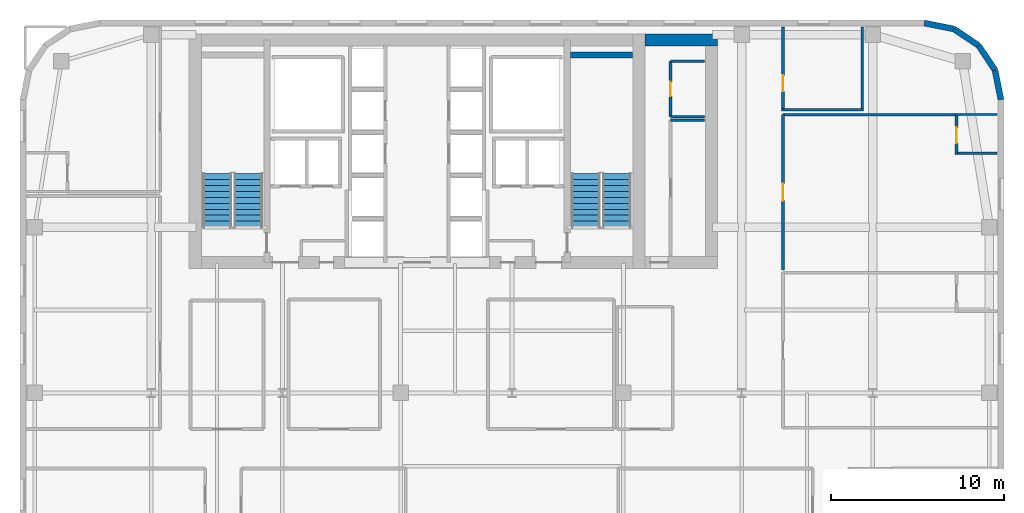
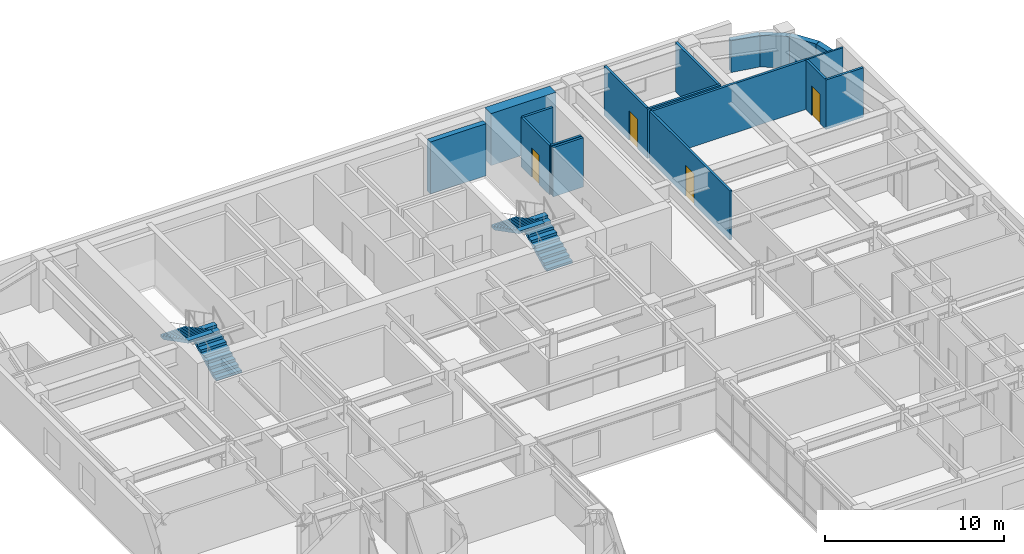
# One storey, part 16 of 17: 18 walls, 4 doors, 4 stair flights, 4 openings, 2 elements without a shape of their own.
"""IFC4 building model written with IfcOpenShell, lengths in metres."""

from ifc_helpers import new_model, si_unit, direction, frame, frame_2d, origin, place, context, subcontext, project, spatial, polyline, rectangle, outline, extrude, source, transform, mapped, material, layer, layer_set, type_object, type_shapes, element, fill, aggregate, save


model = new_model("IFC4")

# Units and contexts
model_context = context("Model", 3, precision=1e-05, world=origin(), true_north=direction((0.0, 1.0)))
body_context = subcontext(model_context, "Body", "Model", "MODEL_VIEW")
ifc_project = project(units=[si_unit("LENGTHUNIT", "METRE"), si_unit("AREAUNIT", "SQUARE_METRE"), si_unit("VOLUMEUNIT", "CUBIC_METRE"), si_unit("PLANEANGLEUNIT", "RADIAN"), si_unit("MASSUNIT", "GRAM", prefix="KILO")], contexts=[model_context])

# Site, building, storey
site_placement = place(None, origin())
site = spatial("IfcSite", under=ifc_project, at=site_placement, CompositionType="ELEMENT")
building_placement = place(site_placement, origin())
building = spatial("IfcBuilding", under=site, at=building_placement, Name="Tolvann Quenvar Hotel", CompositionType="ELEMENT")
storey_placement = place(building_placement, frame((0.0, 0.0, 136.39990234375)))
storey = spatial("IfcBuildingStorey", under=building, at=storey_placement, Name="L35", CompositionType="ELEMENT", Elevation=136.39990234375)

# Walls
ifc_material_1 = material(Name="Concrete S65 (65 MPa)", Category="concrete")
ifc_layer_1 = layer(ifc_material_1, 0.699951171875)
ifc_layer_set_1 = layer_set([ifc_layer_1], Name="Concrete S65 (65 MPa)")
wall_type_1 = type_object("IfcWallType", Name="WALL_CORE_700", PredefinedType="SHEAR", material=ifc_layer_set_1)
wall_1_placement = place(storey_placement, frame((36.199951171875, 44.85009765625, 0.0), z_axis=(0.0, 0.0, 1.0), x_axis=(1.0, 0.0, 0.0)))
element("IfcWall", 1, at=wall_1_placement, inside=storey, type_object=wall_type_1, Name="Core East Annex Shear Wall ANN-N (L35)", PredefinedType="SHEAR", context=body_context, shape_type="SweptSolid", body=[
    extrude(rectangle(XDim=4.199951171875, YDim=0.699951171875, at=frame_2d((2.10009765625, 0.0))), origin(), (0.0, 0.0, 1.0), 3.550048828125),
])
ifc_layer_2 = layer(ifc_material_1, 0.35009765625)
ifc_layer_set_2 = layer_set([ifc_layer_2], Name="Concrete S65 (65 MPa)")
wall_type_2 = type_object("IfcWallType", Name="WALL_CORE_INT_350", PredefinedType="SHEAR", material=ifc_layer_set_2)
wall_2_placement = place(storey_placement, frame((31.8798828125, 43.97509765625, 0.0), z_axis=(0.0, 0.0, 1.0), x_axis=(1.0, 0.0, 0.0)))
element("IfcWall", 2, at=wall_2_placement, inside=storey, type_object=wall_type_2, Name="Core Stair North Closing Shear Wall STC2-N (L35)", PredefinedType="SHEAR", context=body_context, shape_type="SweptSolid", body=[
    extrude(rectangle(XDim=3.60009765625, YDim=0.35009765625, at=frame_2d((1.800048828125, 0.0))), origin(), (0.0, 0.0, 1.0), 3.550048828125),
])
ifc_material_2 = material(Name="Kiln-fired red and buff architectural clay brickwork and terracotta masonry", Category="masonry")
ifc_layer_3 = layer(ifc_material_2, 0.35009765625)
ifc_layer_set_3 = layer_set([ifc_layer_3], Name="Kiln-fired red and buff architectural clay brickwork and terracotta masonry")
wall_type_3 = type_object("IfcWallType", Name="WALL_EXT_BRICK_350", PredefinedType="SOLIDWALL", material=ifc_layer_set_3)
wall_3_placement = place(storey_placement, frame((56.824951171875, 41.3828125, 0.0), z_axis=(0.0, 0.0, 1.0), x_axis=(-0.195011420161, 0.980800971659, 0.0)))
element("IfcWall", 3, at=wall_3_placement, inside=storey, type_object=wall_type_3, Name="Exterior Chicago Brick Wall L35-E14", PredefinedType="SOLIDWALL", context=body_context, shape_type="SweptSolid", body=[
    extrude(rectangle(XDim=1.74267578125, YDim=0.35009765625, at=frame_2d((0.871337890625, 0.0))), origin(), (0.0, 0.0, 1.0), 2.16015625),
])
for number, where, z_axis, x_axis, name in (
    (4, (56.485107421875, 43.092041015625, 0.0), (0.0, 0.0, 1.0), (-0.55554893791, 0.831483840845, 0.0), "Exterior Chicago Brick Wall L35-E15"),
    (5, (55.526611328125, 44.526611328125, 0.0), (0.0, 0.0, 1.0), (-0.831483840845, 0.55554893791, 0.0), "Exterior Chicago Brick Wall L35-E16"),
):
    element("IfcWall", number, at=place(storey_placement, frame(where, z_axis=z_axis, x_axis=x_axis)), inside=storey, type_object=wall_type_3, Name=name, PredefinedType="SOLIDWALL", context=body_context, shape_type="SweptSolid", body=[
        extrude(rectangle(XDim=1.725341796875, YDim=0.35009765625, at=frame_2d((0.86279296875, 0.0))), origin(), (0.0, 0.0, 1.0), 2.16015625),
    ])
wall_4_placement = place(storey_placement, frame((54.092041015625, 45.485107421875, 0.0), z_axis=(0.0, 0.0, 1.0), x_axis=(-0.980800971659, 0.195011420161, 0.0)))
element("IfcWall", 6, at=wall_4_placement, inside=storey, type_object=wall_type_3, Name="Exterior Chicago Brick Wall L35-E17", PredefinedType="SOLIDWALL", context=body_context, shape_type="SweptSolid", body=[
    extrude(rectangle(XDim=1.74267578125, YDim=0.35009765625, at=frame_2d((0.871337890625, 0.0))), origin(), (0.0, 0.0, 1.0), 2.16015625),
])
ifc_material_3 = material(Name="Moisture-resistant acoustic plumbing wall assembly")
ifc_layer_4 = layer(ifc_material_3, 0.1201171875)
ifc_layer_set_4 = layer_set([ifc_layer_4], Name="Moisture-resistant acoustic plumbing wall assembly")
wall_type_4 = type_object("IfcWallType", Name="WALL_PART_BATH_120", PredefinedType="PLUMBINGWALL", material=ifc_layer_set_4)
wall_5_placement = place(storey_placement, frame((54.179931640625, 40.52001953125, 0.0), z_axis=(0.0, 0.0, 1.0), x_axis=(1.0, 0.0, 0.0)))
element("IfcWall", 7, at=wall_5_placement, inside=storey, type_object=wall_type_4, Name="Non-Rated Plumbing Partition PT-SPC-L35-ENS-NE02-N", PredefinedType="PLUMBINGWALL", context=body_context, shape_type="SweptSolid", body=[
    extrude(rectangle(XDim=2.4150390625, YDim=0.1201171875, at=frame_2d((1.20751953125, 0.0))), origin(), (0.0, 0.0, 1.0), 3.3701171875),
])

# Wall, opening, door
ifc_material_4 = material(Name="Acoustic twin-stud fire-rated gypsum plasterboard partition")
ifc_layer_5 = layer(ifc_material_4, 0.14990234375)
ifc_layer_set_5 = layer_set([ifc_layer_5], Name="Acoustic twin-stud fire-rated gypsum plasterboard partition")
wall_type_5 = type_object("IfcWallType", Name="WALL_PART_SUITE_150", PredefinedType="PARTITIONING", material=ifc_layer_set_5)
wall_6_placement = place(storey_placement, frame((54.25, 38.199951171875, 0.0), z_axis=(0.0, 0.0, 1.0), x_axis=(0.0, 1.0, 0.0)))
wall_6 = element("IfcWall", 8, at=wall_6_placement, inside=storey, type_object=wall_type_5, Name="Interior Partition PT-SPC-L35-ENS-NE02-ENT", PredefinedType="PARTITIONING", context=body_context, shape_type="SweptSolid", body=[
    extrude(rectangle(XDim=2.39013671875, YDim=0.14990234375, at=frame_2d((1.195068359375, 0.0))), origin(), (0.0, 0.0, 1.0), 3.3701171875),
])
opening_1_placement = place(wall_6_placement, frame((0.6650390625, 0.0, 0.0)))
opening_1 = element("IfcOpeningElement", 9, at=opening_1_placement, cuts=wall_6, Name="Opening WD-01", PredefinedType="OPENING", context=body_context, shape_type="SweptSolid", body=[
    extrude(rectangle(XDim=0.919921875, YDim=2.010009765625, at=frame_2d((0.4599609375, 1.0048828125))), frame((0.0, 0.0849609375, 0.0), z_axis=(0.0, -1.0, 0.0), x_axis=(1.0, 0.0, 0.0)), (0.0, 0.0, 1.0), 0.169921875),
])
ifc_material_5 = material(Name="Solid-core American oak acoustic fire door leaf in steel frame", Category="steel")
door_type_1 = type_object("IfcDoorType", Name="DOOR_WC_920", OperationType="NOTDEFINED", PredefinedType="DOOR", material=ifc_material_5)
shared_shape_1 = source(origin(), body_context, "Body", "SweptSolid", [
    extrude(rectangle(XDim=0.919921875, YDim=2.010009765625, at=frame_2d((0.4599609375, 1.0048828125))), frame((0.0, 0.02490234375, 0.0), z_axis=(0.0, -1.0, 0.0), x_axis=(1.0, 0.0, 0.0)), (0.0, 0.0, 1.0), 0.050048828125),
])
type_shapes(door_type_1, [shared_shape_1])
door_1_placement = place(opening_1_placement, origin())
door_1 = element("IfcDoor", 10, at=door_1_placement, inside=storey, type_object=door_type_1, Name="Interior Door DOOR-SPC-L35-ENS-NE02", OperationType="SINGLE_SWING_LEFT", OverallHeight=2.010009765625, OverallWidth=0.919921875, PredefinedType="DOOR", context=body_context, shape_type="MappedRepresentation", body=[
    mapped(shared_shape_1, transform((0.0, 0.0, 0.0), x_axis=(1.0, 0.0, 0.0), y_axis=(0.0, 1.0, 0.0), z_axis=(0.0, 0.0, 1.0), scale=1.0)),
])
fill(opening_1, door_1)

# Walls
wall_7_placement = place(storey_placement, frame((54.179931640625, 38.27001953125, 0.0), z_axis=(0.0, 0.0, 1.0), x_axis=(1.0, 0.0, 0.0)))
element("IfcWall", 11, at=wall_7_placement, inside=storey, type_object=wall_type_5, Name="Interior Partition PT-SPC-L35-ENS-NE02-S", PredefinedType="PARTITIONING", context=body_context, shape_type="SweptSolid", body=[
    extrude(rectangle(XDim=2.4150390625, YDim=0.14990234375, at=frame_2d((1.20751953125, 0.0))), origin(), (0.0, 0.0, 1.0), 3.3701171875),
])
for number, where, z_axis, x_axis, name in (
    (12, (37.679931640625, 40.199951171875, 0.0), (0.0, 0.0, 1.0), (1.0, 0.0, 0.0), "Interior Partition PT-SPC-L35-RECPL-1-N"),
    (13, (37.679931640625, 40.39990234375, 0.0), (0.0, 0.0, 1.0), (1.0, 0.0, 0.0), "Interior Partition PT-SPC-L35-CSE-1-S"),
    (14, (37.679931640625, 43.60009765625, 0.0), (0.0, 0.0, 1.0), (1.0, 0.0, 0.0), "Interior Partition PT-SPC-L35-CSE-1-N"),
):
    element("IfcWall", number, at=place(storey_placement, frame(where, z_axis=z_axis, x_axis=x_axis)), inside=storey, type_object=wall_type_5, Name=name, PredefinedType="PARTITIONING", context=body_context, shape_type="SweptSolid", body=[
        extrude(rectangle(XDim=1.965087890625, YDim=0.14990234375, at=frame_2d((0.982421875, 0.0))), origin(), (0.0, 0.0, 1.0), 3.3701171875),
    ])

# Wall, opening, door
wall_8_placement = place(storey_placement, frame((37.679931640625, 40.39990234375, 0.0), z_axis=(0.0, 0.0, 1.0), x_axis=(0.0, 1.0, 0.0)))
wall_8 = element("IfcWall", 15, at=wall_8_placement, inside=storey, type_object=wall_type_5, Name="Interior Partition PT-SPC-L35-CSE-1-W", PredefinedType="PARTITIONING", context=body_context, shape_type="SweptSolid", body=[
    extrude(rectangle(XDim=3.2001953125, YDim=0.14990234375, at=frame_2d((1.60009765625, 0.0))), origin(), (0.0, 0.0, 1.0), 3.3701171875),
])
opening_2_placement = place(wall_8_placement, frame((1.18994140625, 0.0, 0.0)))
opening_2 = element("IfcOpeningElement", 16, at=opening_2_placement, cuts=wall_8, Name="Opening HD-02", PredefinedType="OPENING", context=body_context, shape_type="SweptSolid", body=[
    extrude(rectangle(XDim=0.820068359375, YDim=2.010009765625, at=frame_2d((0.41015625, 1.0048828125))), frame((0.0, 0.0849609375, 0.0), z_axis=(0.0, -1.0, 0.0), x_axis=(1.0, 0.0, 0.0)), (0.0, 0.0, 1.0), 0.169921875),
])
ifc_material_6 = material(Name="Pressed galvanised steel fire-rated door set", Category="steel")
door_type_2 = type_object("IfcDoorType", Name="DOOR_STORE_820", OperationType="NOTDEFINED", PredefinedType="DOOR", material=ifc_material_6)
shared_shape_2 = source(origin(), body_context, "Body", "SweptSolid", [
    extrude(rectangle(XDim=0.820068359375, YDim=2.010009765625, at=frame_2d((0.41015625, 1.0048828125))), frame((0.0, 0.02490234375, 0.0), z_axis=(0.0, -1.0, 0.0), x_axis=(1.0, 0.0, 0.0)), (0.0, 0.0, 1.0), 0.050048828125),
])
type_shapes(door_type_2, [shared_shape_2])
door_2_placement = place(opening_2_placement, origin())
door_2 = element("IfcDoor", 17, at=door_2_placement, inside=storey, type_object=door_type_2, Name="Interior Door DOOR-SPC-L35-CSE-1", OperationType="SINGLE_SWING_LEFT", OverallHeight=2.010009765625, OverallWidth=0.820068359375, PredefinedType="DOOR", context=body_context, shape_type="MappedRepresentation", body=[
    mapped(shared_shape_2, transform((0.0, 0.0, 0.0), x_axis=(1.0, 0.0, 0.0), y_axis=(0.0, 1.0, 0.0), z_axis=(0.0, 0.0, 1.0), scale=1.0)),
])
fill(opening_2, door_2)

wall_9_placement = place(storey_placement, frame((44.199951171875, 31.530029296875, 0.0), z_axis=(0.0, 0.0, 1.0), x_axis=(0.0, 1.0, 0.0)))
wall_9 = element("IfcWall", 18, at=wall_9_placement, inside=storey, type_object=wall_type_5, Name="Interior Partition PT-SPC-L35-RM-NE02-ENT", PredefinedType="PARTITIONING", context=body_context, shape_type="SweptSolid", body=[
    extrude(rectangle(XDim=8.989990234375, YDim=0.14990234375, at=frame_2d((4.4951171875, 0.0))), origin(), (0.0, 0.0, 1.0), 3.3701171875),
])
opening_3_placement = place(wall_9_placement, frame((4.0048828125, 0.0, 0.0)))
opening_3 = element("IfcOpeningElement", 19, at=opening_3_placement, cuts=wall_9, Name="Opening SD-01", PredefinedType="OPENING", context=body_context, shape_type="SweptSolid", body=[
    extrude(rectangle(XDim=0.97998046875, YDim=2.1201171875, at=frame_2d((0.489990234375, 1.06005859375))), frame((0.0, 0.0849609375, 0.0), z_axis=(0.0, -1.0, 0.0), x_axis=(1.0, 0.0, 0.0)), (0.0, 0.0, 1.0), 0.169921875),
])
door_type_3 = type_object("IfcDoorType", Name="DOOR_SUITE_980", OperationType="NOTDEFINED", PredefinedType="DOOR", material=ifc_material_5)
shared_shape_3 = source(origin(), body_context, "Body", "SweptSolid", [
    extrude(rectangle(XDim=0.97998046875, YDim=2.1201171875, at=frame_2d((0.489990234375, 1.06005859375))), frame((0.0, 0.02490234375, 0.0), z_axis=(0.0, -1.0, 0.0), x_axis=(1.0, 0.0, 0.0)), (0.0, 0.0, 1.0), 0.050048828125),
])
type_shapes(door_type_3, [shared_shape_3])
door_3_placement = place(opening_3_placement, origin())
door_3 = element("IfcDoor", 20, at=door_3_placement, inside=storey, type_object=door_type_3, Name="Interior Door DOOR-SPC-L35-RM-NE02", OperationType="SINGLE_SWING_RIGHT", OverallHeight=2.1201171875, OverallWidth=0.97998046875, PredefinedType="DOOR", context=body_context, shape_type="MappedRepresentation", body=[
    mapped(shared_shape_3, transform((0.0, 0.0, 0.0), x_axis=(1.0, 0.0, 0.0), y_axis=(0.0, 1.0, 0.0), z_axis=(0.0, 0.0, 1.0), scale=1.0)),
])
fill(opening_3, door_3)

# Wall
wall_10_placement = place(storey_placement, frame((44.199951171875, 40.52001953125, 0.0), z_axis=(0.0, 0.0, 1.0), x_axis=(1.0, 0.0, 0.0)))
element("IfcWall", 21, at=wall_10_placement, inside=storey, type_object=wall_type_5, Name="Interior Partition PT-SPC-L35-RM-NE02-E5", PredefinedType="PARTITIONING", context=body_context, shape_type="SweptSolid", body=[
    extrude(rectangle(XDim=10.030029296875, YDim=0.14990234375, at=frame_2d((5.01513671875, 0.0))), origin(), (0.0, 0.0, 1.0), 3.3701171875),
])

# Wall, opening, door
wall_11_placement = place(storey_placement, frame((44.199951171875, 40.72998046875, 0.0), z_axis=(0.0, 0.0, 1.0), x_axis=(0.0, 1.0, 0.0)))
wall_11 = element("IfcWall", 22, at=wall_11_placement, inside=storey, type_object=wall_type_5, Name="Interior Partition PT-SPC-L35-WCA-ENT", PredefinedType="PARTITIONING", context=body_context, shape_type="SweptSolid", body=[
    extrude(rectangle(XDim=4.864990234375, YDim=0.14990234375, at=frame_2d((2.4326171875, 0.0))), origin(), (0.0, 0.0, 1.0), 3.3701171875),
])
opening_4_placement = place(wall_11_placement, frame((1.139892578125, 0.0, 0.0)))
opening_4 = element("IfcOpeningElement", 23, at=opening_4_placement, cuts=wall_11, Name="Opening WD-01", PredefinedType="OPENING", context=body_context, shape_type="SweptSolid", body=[
    extrude(rectangle(XDim=0.919921875, YDim=2.010009765625, at=frame_2d((0.4599609375, 1.0048828125))), frame((0.0, 0.0849609375, 0.0), z_axis=(0.0, -1.0, 0.0), x_axis=(1.0, 0.0, 0.0)), (0.0, 0.0, 1.0), 0.169921875),
])
door_4_placement = place(opening_4_placement, origin())
door_4 = element("IfcDoor", 24, at=door_4_placement, inside=storey, type_object=door_type_1, Name="Interior Door DOOR-SPC-L35-WCA", OperationType="SINGLE_SWING_LEFT", OverallHeight=2.010009765625, OverallWidth=0.919921875, PredefinedType="DOOR", context=body_context, shape_type="MappedRepresentation", body=[
    mapped(shared_shape_1, transform((0.0, 0.0, 0.0), x_axis=(1.0, 0.0, 0.0), y_axis=(0.0, 1.0, 0.0), z_axis=(0.0, 0.0, 1.0), scale=1.0)),
])
fill(opening_4, door_4)

# Walls
wall_12_placement = place(storey_placement, frame((44.1298828125, 40.800048828125, 0.0), z_axis=(0.0, 0.0, 1.0), x_axis=(1.0, 0.0, 0.0)))
element("IfcWall", 25, at=wall_12_placement, inside=storey, type_object=wall_type_5, Name="Interior Partition PT-SPC-L35-WCA-S", PredefinedType="PARTITIONING", context=body_context, shape_type="SweptSolid", body=[
    extrude(rectangle(XDim=4.740234375, YDim=0.14990234375, at=frame_2d((2.3701171875, 0.0))), origin(), (0.0, 0.0, 1.0), 3.3701171875),
])
wall_13_placement = place(storey_placement, frame((48.800048828125, 40.72998046875, 0.0), z_axis=(0.0, 0.0, 1.0), x_axis=(0.0, 1.0, 0.0)))
element("IfcWall", 26, at=wall_13_placement, inside=storey, type_object=wall_type_5, Name="Interior Partition PT-SPC-L35-WCA-E", PredefinedType="PARTITIONING", context=body_context, shape_type="SweptSolid", body=[
    extrude(rectangle(XDim=4.864990234375, YDim=0.14990234375, at=frame_2d((2.4326171875, 0.0))), origin(), (0.0, 0.0, 1.0), 3.3701171875),
])

# Stair, stair flights
ifc_material_7 = material(Name="Concrete N40 (40 MPa)", Category="concrete")
stair_type = type_object("IfcStairType", Name="STAIR", PredefinedType="HALF_TURN_STAIR", material=ifc_material_7)
stair_1_placement = place(storey_placement, origin())
stair_1 = element("IfcStair", 27, at=stair_1_placement, inside=storey, type_object=stair_type, Name="L35 ST-C1", PredefinedType="HALF_TURN_STAIR")
stair_flight_type = type_object("IfcStairFlightType", Name="STAIR_FLIGHT", PredefinedType="STRAIGHT", material=ifc_material_7)
stair_flight_1_placement = place(storey_placement, frame((13.22509765625, 34.0, 0.0), z_axis=(0.0, 0.0, 1.0), x_axis=(0.0, 1.0, 0.0)))
stair_flight_1 = element("IfcStairFlight", 28, at=stair_flight_1_placement, type_object=stair_flight_type, Name="ST-C1 flight 1", NumberOfRisers=10, NumberOfTreads=9, PredefinedType="STRAIGHT", RiserHeight=0.1775, TreadLength=0.345, context=body_context, shape_type="SweptSolid", body=[
    extrude(outline(polyline([(0.0, 0.0), (0.0, 0.177490234375), (0.344970703125, 0.177490234375), (0.344970703125, 0.35498046875), (0.68994140625, 0.35498046875), (0.68994140625, 0.532470703125), (1.034912109375, 0.532470703125), (1.034912109375, 0.7099609375), (1.3798828125, 0.7099609375), (1.3798828125, 0.887451171875), (1.72509765625, 0.887451171875), (1.72509765625, 1.06494140625), (2.070068359375, 1.06494140625), (2.070068359375, 1.242431640625), (2.4150390625, 1.242431640625), (2.4150390625, 1.419921875), (2.760009765625, 1.419921875), (2.760009765625, 1.597412109375), (3.10498046875, 1.597412109375), (3.10498046875, 1.77490234375), (3.10498046875, 1.428955078125), (0.32763671875, 0.0), (0.0, 0.0)])), frame((0.0, 0.824951171875, 0.0), z_axis=(0.0, -1.0, 0.0), x_axis=(1.0, 0.0, 0.0)), (0.0, 0.0, 1.0), 1.64990234375),
])
stair_flight_2_placement = place(storey_placement, frame((11.425048828125, 37.10498046875, 1.775146484375), z_axis=(0.0, 0.0, 1.0), x_axis=(0.0, -1.0, 0.0)))
stair_flight_2 = element("IfcStairFlight", 29, at=stair_flight_2_placement, type_object=stair_flight_type, Name="ST-C1 flight 2", NumberOfRisers=10, NumberOfTreads=9, PredefinedType="STRAIGHT", RiserHeight=0.1775, TreadLength=0.345, context=body_context, shape_type="SweptSolid", body=[
    extrude(outline(polyline([(0.0, 0.0), (0.0, 0.177490234375), (0.344970703125, 0.177490234375), (0.344970703125, 0.35498046875), (0.68994140625, 0.35498046875), (0.68994140625, 0.532470703125), (1.034912109375, 0.532470703125), (1.034912109375, 0.7099609375), (1.3798828125, 0.7099609375), (1.3798828125, 0.887451171875), (1.72509765625, 0.887451171875), (1.72509765625, 1.06494140625), (2.070068359375, 1.06494140625), (2.070068359375, 1.242431640625), (2.4150390625, 1.242431640625), (2.4150390625, 1.419921875), (2.760009765625, 1.419921875), (2.760009765625, 1.597412109375), (3.10498046875, 1.597412109375), (3.10498046875, 1.77490234375), (3.10498046875, 1.428955078125), (0.32763671875, 0.0), (0.0, 0.0)])), frame((0.0, 0.824951171875, 0.0), z_axis=(0.0, -1.0, 0.0), x_axis=(1.0, 0.0, 0.0)), (0.0, 0.0, 1.0), 1.64990234375),
])
aggregate(stair_1, [stair_flight_1, stair_flight_2])

stair_2_placement = place(storey_placement, origin())
stair_2 = element("IfcStair", 30, at=stair_2_placement, inside=storey, type_object=stair_type, Name="L35 ST-C2", PredefinedType="HALF_TURN_STAIR")
stair_flight_3_placement = place(storey_placement, frame((34.574951171875, 34.0, 0.0), z_axis=(0.0, 0.0, 1.0), x_axis=(0.0, 1.0, 0.0)))
stair_flight_3 = element("IfcStairFlight", 31, at=stair_flight_3_placement, type_object=stair_flight_type, Name="ST-C2 flight 1", NumberOfRisers=10, NumberOfTreads=9, PredefinedType="STRAIGHT", RiserHeight=0.1775, TreadLength=0.345, context=body_context, shape_type="SweptSolid", body=[
    extrude(outline(polyline([(0.0, 0.0), (0.0, 0.177490234375), (0.344970703125, 0.177490234375), (0.344970703125, 0.35498046875), (0.68994140625, 0.35498046875), (0.68994140625, 0.532470703125), (1.034912109375, 0.532470703125), (1.034912109375, 0.7099609375), (1.3798828125, 0.7099609375), (1.3798828125, 0.887451171875), (1.72509765625, 0.887451171875), (1.72509765625, 1.06494140625), (2.070068359375, 1.06494140625), (2.070068359375, 1.242431640625), (2.4150390625, 1.242431640625), (2.4150390625, 1.419921875), (2.760009765625, 1.419921875), (2.760009765625, 1.597412109375), (3.10498046875, 1.597412109375), (3.10498046875, 1.77490234375), (3.10498046875, 1.428955078125), (0.32763671875, 0.0), (0.0, 0.0)])), frame((0.0, 0.824951171875, 0.0), z_axis=(0.0, -1.0, 0.0), x_axis=(1.0, 0.0, 0.0)), (0.0, 0.0, 1.0), 1.64990234375),
])
stair_flight_4_placement = place(storey_placement, frame((32.77490234375, 37.10498046875, 1.775146484375), z_axis=(0.0, 0.0, 1.0), x_axis=(0.0, -1.0, 0.0)))
stair_flight_4 = element("IfcStairFlight", 32, at=stair_flight_4_placement, type_object=stair_flight_type, Name="ST-C2 flight 2", NumberOfRisers=10, NumberOfTreads=9, PredefinedType="STRAIGHT", RiserHeight=0.1775, TreadLength=0.345, context=body_context, shape_type="SweptSolid", body=[
    extrude(outline(polyline([(0.0, 0.0), (0.0, 0.177490234375), (0.344970703125, 0.177490234375), (0.344970703125, 0.35498046875), (0.68994140625, 0.35498046875), (0.68994140625, 0.532470703125), (1.034912109375, 0.532470703125), (1.034912109375, 0.7099609375), (1.3798828125, 0.7099609375), (1.3798828125, 0.887451171875), (1.72509765625, 0.887451171875), (1.72509765625, 1.06494140625), (2.070068359375, 1.06494140625), (2.070068359375, 1.242431640625), (2.4150390625, 1.242431640625), (2.4150390625, 1.419921875), (2.760009765625, 1.419921875), (2.760009765625, 1.597412109375), (3.10498046875, 1.597412109375), (3.10498046875, 1.77490234375), (3.10498046875, 1.428955078125), (0.32763671875, 0.0), (0.0, 0.0)])), frame((0.0, 0.824951171875, 0.0), z_axis=(0.0, -1.0, 0.0), x_axis=(1.0, 0.0, 0.0)), (0.0, 0.0, 1.0), 1.64990234375),
])
aggregate(stair_2, [stair_flight_3, stair_flight_4])

save(model, "model.ifc")
